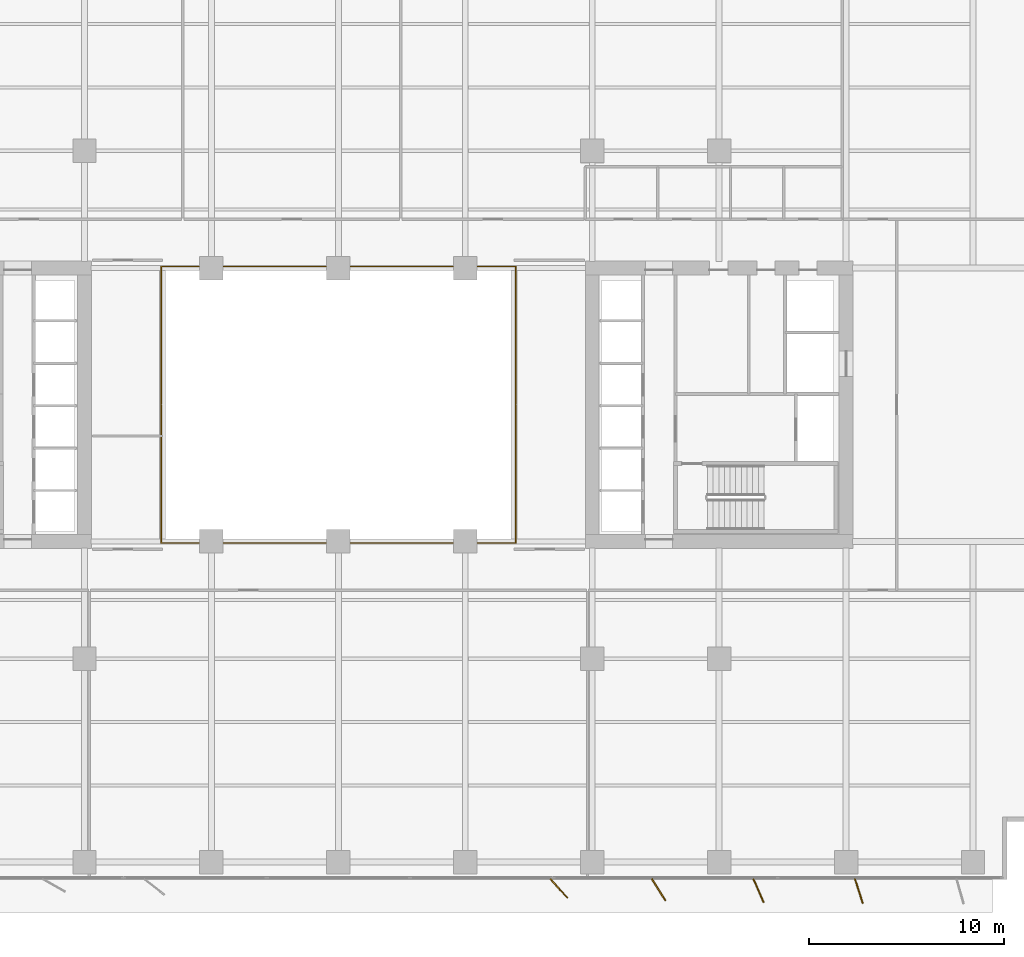
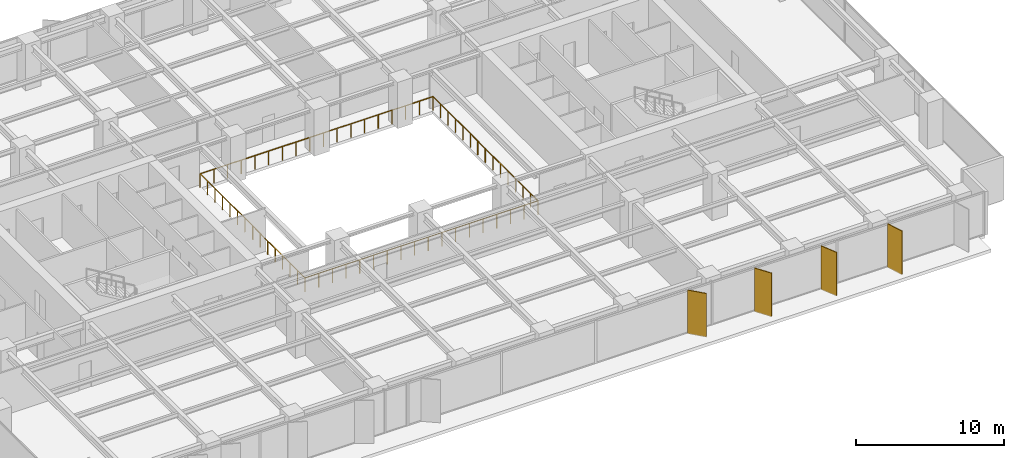
# One storey, part 17 of 19: 4 shading devices, 2 railings.
"""IFC4 building model written with IfcOpenShell, lengths in metres."""

from ifc_helpers import new_model, si_unit, direction, frame, origin, origin_2d, place, context, subcontext, project, spatial, rectangle, circle, extrude, material, layer, layer_set, type_object, element, save


model = new_model("IFC4")

# Units and contexts
model_context = context("Model", 3, precision=1e-05, world=origin(), true_north=direction((0.0, 1.0)))
body_context = subcontext(model_context, "Body", "Model", "MODEL_VIEW")
ifc_project = project(units=[si_unit("LENGTHUNIT", "METRE"), si_unit("AREAUNIT", "SQUARE_METRE"), si_unit("VOLUMEUNIT", "CUBIC_METRE"), si_unit("PLANEANGLEUNIT", "RADIAN"), si_unit("MASSUNIT", "GRAM", prefix="KILO")], contexts=[model_context])

# Site, building, storey
site_placement = place(None, origin())
site = spatial("IfcSite", under=ifc_project, at=site_placement, CompositionType="ELEMENT")
building_placement = place(site_placement, origin())
building = spatial("IfcBuilding", under=site, at=building_placement, Name="Putna Gate Headquarters", CompositionType="ELEMENT")
storey_placement = place(building_placement, frame((0.0, 0.0, 86.0)))
storey = spatial("IfcBuildingStorey", under=building, at=storey_placement, Name="L20", CompositionType="ELEMENT", Elevation=86.0)

# Railings
ifc_material_1 = material(Name="Anodised bronze and laminated glass atrium balustrade", Category="glass")
railing_type = type_object("IfcRailingType", Name="RAIL-ATRIUM-GUARD-1150", PredefinedType="GUARDRAIL", material=ifc_material_1)
railing_1_placement = place(storey_placement, frame((29.919921875, 25.969970703125, 0.0)))
element("IfcRailing", 1, at=railing_1_placement, inside=storey, type_object=railing_type, Name="L20 Central Atrium Glazed Balustrade South", PredefinedType="GUARDRAIL", context=body_context, shape_type="SweptSolid", body=[
    extrude(circle(Radius=0.02392578125, at=origin_2d()), frame((0.0, 0.0, 1.1259765625), z_axis=(0.0, -1.0, 0.0), x_axis=(1.0, 0.0, 0.0)), (0.0, 0.0, 1.0), 7.050048828125),
    extrude(circle(Radius=0.02392578125, at=origin_2d()), frame((0.0, -7.050048828125, 1.1259765625), z_axis=(1.0, 0.0, 0.0), x_axis=(0.0, 1.0, 0.0)), (0.0, 0.0, 1.0), 18.16015625),
    extrude(circle(Radius=0.02392578125, at=origin_2d()), frame((18.16015625, -7.050048828125, 1.1259765625), z_axis=(0.0, 1.0, 0.0), x_axis=(-1.0, 0.0, 0.0)), (0.0, 0.0, 1.0), 7.050048828125),
    extrude(circle(Radius=0.02099609375, at=origin_2d()), origin(), (0.0, 0.0, 1.0), 1.101806640625),
    extrude(circle(Radius=0.02099609375, at=origin_2d()), frame((0.0, -1.007080078125, 0.0)), (0.0, 0.0, 1.0), 1.101806640625),
    extrude(circle(Radius=0.02099609375, at=origin_2d()), frame((0.0, -2.014404296875, 0.0)), (0.0, 0.0, 1.0), 1.101806640625),
    extrude(circle(Radius=0.02099609375, at=origin_2d()), frame((0.0, -3.021484375, 0.0)), (0.0, 0.0, 1.0), 1.101806640625),
    extrude(circle(Radius=0.02099609375, at=origin_2d()), frame((0.0, -4.028564453125, 0.0)), (0.0, 0.0, 1.0), 1.101806640625),
    extrude(circle(Radius=0.02099609375, at=origin_2d()), frame((0.0, -5.03564453125, 0.0)), (0.0, 0.0, 1.0), 1.101806640625),
    extrude(circle(Radius=0.02099609375, at=origin_2d()), frame((0.0, -6.04296875, 0.0)), (0.0, 0.0, 1.0), 1.101806640625),
    extrude(circle(Radius=0.02099609375, at=origin_2d()), frame((0.0, -7.050048828125, 0.0)), (0.0, 0.0, 1.0), 1.101806640625),
    extrude(circle(Radius=0.02099609375, at=origin_2d()), frame((1.068359375, -7.050048828125, 0.0)), (0.0, 0.0, 1.0), 1.101806640625),
    extrude(circle(Radius=0.02099609375, at=origin_2d()), frame((2.136474609375, -7.050048828125, 0.0)), (0.0, 0.0, 1.0), 1.101806640625),
    extrude(circle(Radius=0.02099609375, at=origin_2d()), frame((3.204833984375, -7.050048828125, 0.0)), (0.0, 0.0, 1.0), 1.101806640625),
    extrude(circle(Radius=0.02099609375, at=origin_2d()), frame((4.27294921875, -7.050048828125, 0.0)), (0.0, 0.0, 1.0), 1.101806640625),
    extrude(circle(Radius=0.02099609375, at=origin_2d()), frame((5.34130859375, -7.050048828125, 0.0)), (0.0, 0.0, 1.0), 1.101806640625),
    extrude(circle(Radius=0.02099609375, at=origin_2d()), frame((6.409423828125, -7.050048828125, 0.0)), (0.0, 0.0, 1.0), 1.101806640625),
    extrude(circle(Radius=0.02099609375, at=origin_2d()), frame((7.477783203125, -7.050048828125, 0.0)), (0.0, 0.0, 1.0), 1.101806640625),
    extrude(circle(Radius=0.02099609375, at=origin_2d()), frame((8.5458984375, -7.050048828125, 0.0)), (0.0, 0.0, 1.0), 1.101806640625),
    extrude(circle(Radius=0.02099609375, at=origin_2d()), frame((9.6142578125, -7.050048828125, 0.0)), (0.0, 0.0, 1.0), 1.101806640625),
    extrude(circle(Radius=0.02099609375, at=origin_2d()), frame((10.682373046875, -7.050048828125, 0.0)), (0.0, 0.0, 1.0), 1.101806640625),
    extrude(circle(Radius=0.02099609375, at=origin_2d()), frame((11.750732421875, -7.050048828125, 0.0)), (0.0, 0.0, 1.0), 1.101806640625),
    extrude(circle(Radius=0.02099609375, at=origin_2d()), frame((12.81884765625, -7.050048828125, 0.0)), (0.0, 0.0, 1.0), 1.101806640625),
    extrude(circle(Radius=0.02099609375, at=origin_2d()), frame((13.88720703125, -7.050048828125, 0.0)), (0.0, 0.0, 1.0), 1.101806640625),
    extrude(circle(Radius=0.02099609375, at=origin_2d()), frame((14.955322265625, -7.050048828125, 0.0)), (0.0, 0.0, 1.0), 1.101806640625),
    extrude(circle(Radius=0.02099609375, at=origin_2d()), frame((16.023681640625, -7.050048828125, 0.0)), (0.0, 0.0, 1.0), 1.101806640625),
    extrude(circle(Radius=0.02099609375, at=origin_2d()), frame((17.091796875, -7.050048828125, 0.0)), (0.0, 0.0, 1.0), 1.101806640625),
    extrude(circle(Radius=0.02099609375, at=origin_2d()), frame((18.16015625, -7.050048828125, 0.0)), (0.0, 0.0, 1.0), 1.101806640625),
    extrude(circle(Radius=0.02099609375, at=origin_2d()), frame((18.16015625, -6.04296875, 0.0)), (0.0, 0.0, 1.0), 1.101806640625),
    extrude(circle(Radius=0.02099609375, at=origin_2d()), frame((18.16015625, -5.03564453125, 0.0)), (0.0, 0.0, 1.0), 1.101806640625),
    extrude(circle(Radius=0.02099609375, at=origin_2d()), frame((18.16015625, -4.028564453125, 0.0)), (0.0, 0.0, 1.0), 1.101806640625),
    extrude(circle(Radius=0.02099609375, at=origin_2d()), frame((18.16015625, -3.021484375, 0.0)), (0.0, 0.0, 1.0), 1.101806640625),
    extrude(circle(Radius=0.02099609375, at=origin_2d()), frame((18.16015625, -2.014404296875, 0.0)), (0.0, 0.0, 1.0), 1.101806640625),
    extrude(circle(Radius=0.02099609375, at=origin_2d()), frame((18.16015625, -1.007080078125, 0.0)), (0.0, 0.0, 1.0), 1.101806640625),
    extrude(circle(Radius=0.02099609375, at=origin_2d()), frame((18.16015625, 0.0, 0.0)), (0.0, 0.0, 1.0), 1.101806640625),
])
railing_2_placement = place(storey_placement, frame((48.080078125, 26.030029296875, 0.0)))
element("IfcRailing", 2, at=railing_2_placement, inside=storey, type_object=railing_type, Name="L20 Central Atrium Glazed Balustrade North", PredefinedType="GUARDRAIL", context=body_context, shape_type="SweptSolid", body=[
    extrude(circle(Radius=0.02392578125, at=origin_2d()), frame((0.0, 0.0, 1.1259765625), z_axis=(0.0, 1.0, 0.0), x_axis=(-1.0, 0.0, 0.0)), (0.0, 0.0, 1.0), 7.050048828125),
    extrude(circle(Radius=0.02392578125, at=origin_2d()), frame((0.0, 7.050048828125, 1.1259765625), z_axis=(-1.0, 0.0, 0.0), x_axis=(0.0, -1.0, 0.0)), (0.0, 0.0, 1.0), 18.16015625),
    extrude(circle(Radius=0.02392578125, at=origin_2d()), frame((-18.16015625, 7.050048828125, 1.1259765625), z_axis=(0.0, -1.0, 0.0), x_axis=(1.0, 0.0, 0.0)), (0.0, 0.0, 1.0), 7.050048828125),
    extrude(circle(Radius=0.02099609375, at=origin_2d()), origin(), (0.0, 0.0, 1.0), 1.101806640625),
    extrude(circle(Radius=0.02099609375, at=origin_2d()), frame((0.0, 1.007080078125, 0.0)), (0.0, 0.0, 1.0), 1.101806640625),
    extrude(circle(Radius=0.02099609375, at=origin_2d()), frame((0.0, 2.014404296875, 0.0)), (0.0, 0.0, 1.0), 1.101806640625),
    extrude(circle(Radius=0.02099609375, at=origin_2d()), frame((0.0, 3.021484375, 0.0)), (0.0, 0.0, 1.0), 1.101806640625),
    extrude(circle(Radius=0.02099609375, at=origin_2d()), frame((0.0, 4.028564453125, 0.0)), (0.0, 0.0, 1.0), 1.101806640625),
    extrude(circle(Radius=0.02099609375, at=origin_2d()), frame((0.0, 5.03564453125, 0.0)), (0.0, 0.0, 1.0), 1.101806640625),
    extrude(circle(Radius=0.02099609375, at=origin_2d()), frame((0.0, 6.04296875, 0.0)), (0.0, 0.0, 1.0), 1.101806640625),
    extrude(circle(Radius=0.02099609375, at=origin_2d()), frame((0.0, 7.050048828125, 0.0)), (0.0, 0.0, 1.0), 1.101806640625),
    extrude(circle(Radius=0.02099609375, at=origin_2d()), frame((-1.068359375, 7.050048828125, 0.0)), (0.0, 0.0, 1.0), 1.101806640625),
    extrude(circle(Radius=0.02099609375, at=origin_2d()), frame((-2.136474609375, 7.050048828125, 0.0)), (0.0, 0.0, 1.0), 1.101806640625),
    extrude(circle(Radius=0.02099609375, at=origin_2d()), frame((-3.204833984375, 7.050048828125, 0.0)), (0.0, 0.0, 1.0), 1.101806640625),
    extrude(circle(Radius=0.02099609375, at=origin_2d()), frame((-4.27294921875, 7.050048828125, 0.0)), (0.0, 0.0, 1.0), 1.101806640625),
    extrude(circle(Radius=0.02099609375, at=origin_2d()), frame((-5.34130859375, 7.050048828125, 0.0)), (0.0, 0.0, 1.0), 1.101806640625),
    extrude(circle(Radius=0.02099609375, at=origin_2d()), frame((-6.409423828125, 7.050048828125, 0.0)), (0.0, 0.0, 1.0), 1.101806640625),
    extrude(circle(Radius=0.02099609375, at=origin_2d()), frame((-7.477783203125, 7.050048828125, 0.0)), (0.0, 0.0, 1.0), 1.101806640625),
    extrude(circle(Radius=0.02099609375, at=origin_2d()), frame((-8.5458984375, 7.050048828125, 0.0)), (0.0, 0.0, 1.0), 1.101806640625),
    extrude(circle(Radius=0.02099609375, at=origin_2d()), frame((-9.6142578125, 7.050048828125, 0.0)), (0.0, 0.0, 1.0), 1.101806640625),
    extrude(circle(Radius=0.02099609375, at=origin_2d()), frame((-10.682373046875, 7.050048828125, 0.0)), (0.0, 0.0, 1.0), 1.101806640625),
    extrude(circle(Radius=0.02099609375, at=origin_2d()), frame((-11.750732421875, 7.050048828125, 0.0)), (0.0, 0.0, 1.0), 1.101806640625),
    extrude(circle(Radius=0.02099609375, at=origin_2d()), frame((-12.81884765625, 7.050048828125, 0.0)), (0.0, 0.0, 1.0), 1.101806640625),
    extrude(circle(Radius=0.02099609375, at=origin_2d()), frame((-13.88720703125, 7.050048828125, 0.0)), (0.0, 0.0, 1.0), 1.101806640625),
    extrude(circle(Radius=0.02099609375, at=origin_2d()), frame((-14.955322265625, 7.050048828125, 0.0)), (0.0, 0.0, 1.0), 1.101806640625),
    extrude(circle(Radius=0.02099609375, at=origin_2d()), frame((-16.023681640625, 7.050048828125, 0.0)), (0.0, 0.0, 1.0), 1.101806640625),
    extrude(circle(Radius=0.02099609375, at=origin_2d()), frame((-17.091796875, 7.050048828125, 0.0)), (0.0, 0.0, 1.0), 1.101806640625),
    extrude(circle(Radius=0.02099609375, at=origin_2d()), frame((-18.16015625, 7.050048828125, 0.0)), (0.0, 0.0, 1.0), 1.101806640625),
    extrude(circle(Radius=0.02099609375, at=origin_2d()), frame((-18.16015625, 6.04296875, 0.0)), (0.0, 0.0, 1.0), 1.101806640625),
    extrude(circle(Radius=0.02099609375, at=origin_2d()), frame((-18.16015625, 5.03564453125, 0.0)), (0.0, 0.0, 1.0), 1.101806640625),
    extrude(circle(Radius=0.02099609375, at=origin_2d()), frame((-18.16015625, 4.028564453125, 0.0)), (0.0, 0.0, 1.0), 1.101806640625),
    extrude(circle(Radius=0.02099609375, at=origin_2d()), frame((-18.16015625, 3.021484375, 0.0)), (0.0, 0.0, 1.0), 1.101806640625),
    extrude(circle(Radius=0.02099609375, at=origin_2d()), frame((-18.16015625, 2.014404296875, 0.0)), (0.0, 0.0, 1.0), 1.101806640625),
    extrude(circle(Radius=0.02099609375, at=origin_2d()), frame((-18.16015625, 1.007080078125, 0.0)), (0.0, 0.0, 1.0), 1.101806640625),
    extrude(circle(Radius=0.02099609375, at=origin_2d()), frame((-18.16015625, 0.0, 0.0)), (0.0, 0.0, 1.0), 1.101806640625),
])

# Shading devices
ifc_material_2 = material(Name="Anodised architectural bronze aluminium fin", Category="aluminium")
ifc_layer = layer(ifc_material_2, 0.06494140625)
ifc_layer_set = layer_set([ifc_layer], Name="Anodised architectural bronze aluminium fin")
shading_device_type = type_object("IfcShadingDeviceType", Name="SHADE-BRONZE-FIN-1320", PredefinedType="USERDEFINED", material=ifc_layer_set)
for number, where, z_axis, x_axis, name in (
    (3, (50.29150390625, 1.234619140625, -0.02001953125), (0.0, 0.0, 1.0), (0.669130606359, -0.743144825477, 0.0), "L20 Bronze Vertical Shading Fin S8"),
    (4, (55.400146484375, 1.16552734375, -0.02001953125), (0.0, 0.0, 1.0), (0.530659123936, -0.847585331506, 0.0), "L20 Bronze Vertical Shading Fin S9"),
    (5, (60.514404296875, 1.120361328125, -0.02001953125), (0.0, 0.0, 1.0), (0.400668879095, -0.916222925562, 0.0), "L20 Bronze Vertical Shading Fin S10"),
    (6, (65.65380859375, 1.09716796875, -0.02001953125), (0.0, 0.0, 1.0), (0.308684994204, -0.951164325631, 0.0), "L20 Bronze Vertical Shading Fin S11"),
):
    element("IfcShadingDevice", number, at=place(storey_placement, frame(where, z_axis=z_axis, x_axis=x_axis)), inside=storey, type_object=shading_device_type, Name=name, ObjectType="FIN", PredefinedType="USERDEFINED", context=body_context, shape_type="SweptSolid", body=[
        extrude(rectangle(XDim=1.320068359375, YDim=0.06494140625, at=origin_2d()), origin(), (0.0, 0.0, 1.0), 3.60498046875),
    ])

save(model, "model.ifc")
